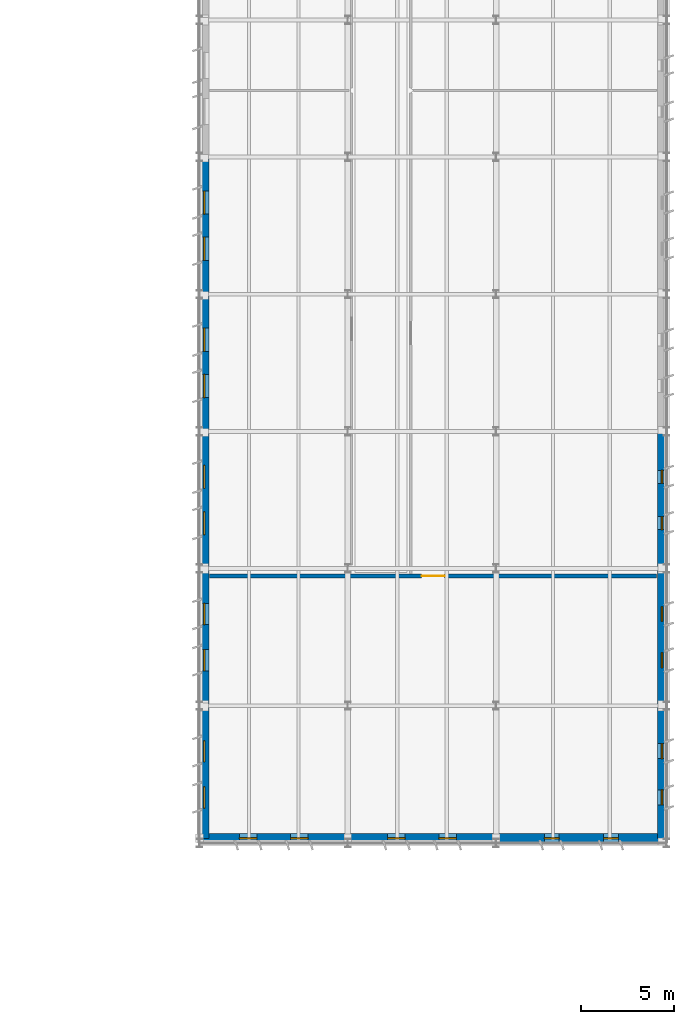
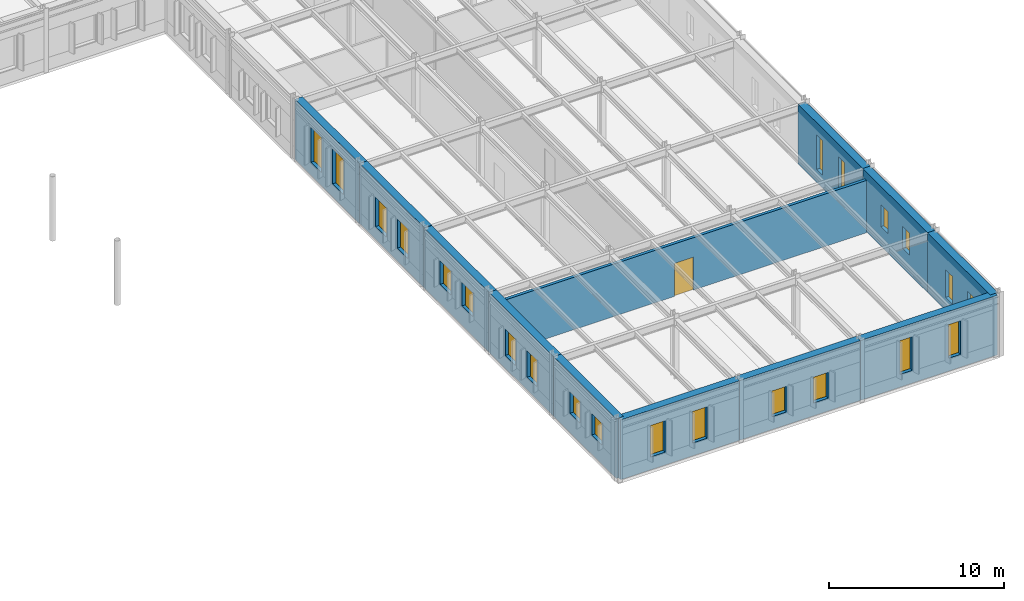
# One storey, part 50 of 75: 22 windows, 12 walls, 1 door, 23 openings.
"""IFC4 building model written with IfcOpenShell, lengths in metres."""

from ifc_helpers import new_model, si_unit, direction, frame, frame_2d, origin, place, context, subcontext, project, spatial, rectangle, extrude, material, layer, layer_set, type_object, element, fill, save


model = new_model("IFC4")

# Units and contexts
model_context = context("Model", 3, precision=1e-05, world=origin(), true_north=direction((0.0, 1.0)))
body_context = subcontext(model_context, "Body", "Model", "MODEL_VIEW")
ifc_project = project(units=[si_unit("LENGTHUNIT", "METRE"), si_unit("AREAUNIT", "SQUARE_METRE"), si_unit("VOLUMEUNIT", "CUBIC_METRE"), si_unit("PLANEANGLEUNIT", "RADIAN"), si_unit("MASSUNIT", "GRAM", prefix="KILO")], contexts=[model_context])

# Site, building, storey
site_placement = place(None, origin())
site = spatial("IfcSite", under=ifc_project, at=site_placement, CompositionType="ELEMENT")
building_placement = place(site_placement, origin())
building = spatial("IfcBuilding", under=site, at=building_placement, Name="Valkorina Park Police Headquarters", CompositionType="ELEMENT")
storey_placement = place(building_placement, frame((0.0, 0.0, 5.39990234375)))
storey = spatial("IfcBuildingStorey", under=building, at=storey_placement, Name="L02", CompositionType="ELEMENT", Elevation=5.39990234375)

# Wall, opening, door
ifc_material_1 = material(Name="Autoclaved aerated concrete masonry", Category="masonry")
ifc_layer_1 = layer(ifc_material_1, 0.199951171875)
ifc_layer_set_1 = layer_set([ifc_layer_1], Name="Autoclaved aerated concrete masonry")
wall_type_1 = type_object("IfcWallType", Name="WL-CORR-200-EI60", PredefinedType="STANDARD", material=ifc_layer_set_1)
wall_1_placement = place(storey_placement, frame((137.340087890625, 21.800048828125, 0.0), z_axis=(0.0, 0.0, 1.0), x_axis=(1.0, 0.0, 0.0)))
wall_1 = element("IfcWall", 1, at=wall_1_placement, inside=storey, type_object=wall_type_1, Name="L02 Interior Partition 0151 (L02-FOR-01)", PredefinedType="STANDARD", context=body_context, shape_type="SweptSolid", body=[
    extrude(rectangle(XDim=24.119873046875, YDim=0.199951171875, at=frame_2d((12.06005859375, 0.0))), origin(), (0.0, 0.0, 1.0), 3.66015625),
])
opening_1_placement = place(wall_1_placement, frame((11.43505859375, 0.0, 0.0)))
opening_1 = element("IfcOpeningElement", 2, at=opening_1_placement, cuts=wall_1, Name="Opening FD-06", PredefinedType="OPENING", context=body_context, shape_type="SweptSolid", body=[
    extrude(rectangle(XDim=1.25, YDim=2.300048828125, at=frame_2d((0.625, 1.14990234375))), frame((0.0, 0.10986328125, 0.0), z_axis=(0.0, -1.0, 0.0), x_axis=(1.0, 0.0, 0.0)), (0.0, 0.0, 1.0), 0.219970703125),
])
ifc_material_2 = material(Name="Galvanized steel door leaf", Category="steel")
ifc_layer_2 = layer(ifc_material_2, 0.050048828125)
ifc_layer_set_2 = layer_set([ifc_layer_2], Name="Galvanized steel door leaf")
door_type = type_object("IfcDoorType", Name="DR-FIRE-LAB-1250x2300", OperationType="NOTDEFINED", PredefinedType="DOOR", material=ifc_layer_set_2)
door_placement = place(opening_1_placement, origin())
door = element("IfcDoor", 3, at=door_placement, inside=storey, type_object=door_type, Name="Door D-L02-I069 (L02-FOR-01)", OperationType="SINGLE_SWING_RIGHT", OverallHeight=2.300048828125, OverallWidth=1.25, PredefinedType="DOOR", context=body_context, shape_type="SweptSolid", body=[
    extrude(rectangle(XDim=1.25, YDim=2.300048828125, at=frame_2d((0.625, 1.14990234375))), frame((0.0, 0.02490234375, 0.0), z_axis=(0.0, -1.0, 0.0), x_axis=(1.0, 0.0, 0.0)), (0.0, 0.0, 1.0), 0.050048828125),
])
fill(opening_1, door)

# Wall, openings, windows
ifc_material_3 = material(Name="Precast concrete C40/50", Category="concrete")
ifc_layer_3 = layer(ifc_material_3, 0.5)
ifc_layer_set_3 = layer_set([ifc_layer_3], Name="Precast concrete C40/50")
wall_type_2 = type_object("IfcWallType", Name="WL-EXT-SPANDREL-500", PredefinedType="STANDARD", material=ifc_layer_set_3)
wall_2_placement = place(storey_placement, frame((161.75, 29.60009765625, 0.0), z_axis=(0.0, 0.0, 1.0), x_axis=(0.0, -1.0, 0.0)))
wall_2 = element("IfcWall", 4, at=wall_2_placement, inside=storey, type_object=wall_type_2, Name="L02 Architectural Concrete Exterior Wall 0163", PredefinedType="STANDARD", context=body_context, shape_type="SweptSolid", body=[
    extrude(rectangle(XDim=7.400146484375, YDim=0.5, at=frame_2d((3.7001953125, 0.0))), origin(), (0.0, 0.0, 1.0), 4.170166015625),
])
opening_2_placement = place(wall_2_placement, frame((2.1025390625, 0.0, 0.89990234375)))
opening_2 = element("IfcOpeningElement", 5, at=opening_2_placement, cuts=wall_2, Name="Opening WN-09", PredefinedType="OPENING", context=body_context, shape_type="SweptSolid", body=[
    extrude(rectangle(XDim=0.699951171875, YDim=2.39990234375, at=frame_2d((0.35009765625, 1.199951171875))), frame((0.0, 0.260009765625, 0.0), z_axis=(0.0, -1.0, 0.0), x_axis=(1.0, 0.0, 0.0)), (0.0, 0.0, 1.0), 0.52001953125),
])
opening_3_placement = place(wall_2_placement, frame((4.597412109375, 0.0, 0.89990234375)))
opening_3 = element("IfcOpeningElement", 6, at=opening_3_placement, cuts=wall_2, Name="Opening WN-09", PredefinedType="OPENING", context=body_context, shape_type="SweptSolid", body=[
    extrude(rectangle(XDim=0.699951171875, YDim=2.39990234375, at=frame_2d((0.35009765625, 1.199951171875))), frame((0.0, 0.260009765625, 0.0), z_axis=(0.0, -1.0, 0.0), x_axis=(1.0, 0.0, 0.0)), (0.0, 0.0, 1.0), 0.52001953125),
])
ifc_material_4 = material(Name="Triple low-E insulated glazing", Category="glass")
ifc_layer_4 = layer(ifc_material_4, 0.06005859375)
ifc_layer_set_4 = layer_set([ifc_layer_4], Name="Triple low-E insulated glazing")
window_type_1 = type_object("IfcWindowType", Name="WN-SLOT-700x2400", PartitioningType="SINGLE_PANEL", PredefinedType="WINDOW", material=ifc_layer_set_4)
window_1_placement = place(opening_2_placement, origin())
window_1 = element("IfcWindow", 7, at=window_1_placement, inside=storey, type_object=window_type_1, Name="Window L02-0271", OverallHeight=2.39990234375, OverallWidth=0.699951171875, PartitioningType="SINGLE_PANEL", PredefinedType="WINDOW", context=body_context, shape_type="SweptSolid", body=[
    extrude(rectangle(XDim=0.699951171875, YDim=2.39990234375, at=frame_2d((0.35009765625, 1.199951171875))), frame((0.0, 0.030029296875, 0.0), z_axis=(0.0, -1.0, 0.0), x_axis=(1.0, 0.0, 0.0)), (0.0, 0.0, 1.0), 0.06005859375),
])
fill(opening_2, window_1)
window_2_placement = place(opening_3_placement, origin())
window_2 = element("IfcWindow", 8, at=window_2_placement, inside=storey, type_object=window_type_1, Name="Window L02-0272", OverallHeight=2.39990234375, OverallWidth=0.699951171875, PartitioningType="SINGLE_PANEL", PredefinedType="WINDOW", context=body_context, shape_type="SweptSolid", body=[
    extrude(rectangle(XDim=0.699951171875, YDim=2.39990234375, at=frame_2d((0.35009765625, 1.199951171875))), frame((0.0, 0.030029296875, 0.0), z_axis=(0.0, -1.0, 0.0), x_axis=(1.0, 0.0, 0.0)), (0.0, 0.0, 1.0), 0.06005859375),
])
fill(opening_3, window_2)

wall_3_placement = place(storey_placement, frame((161.75, 22.199951171875, 0.0), z_axis=(0.0, 0.0, 1.0), x_axis=(0.0, -1.0, 0.0)))
wall_3 = element("IfcWall", 9, at=wall_3_placement, inside=storey, type_object=wall_type_2, Name="L02 Architectural Concrete Exterior Wall 0164", PredefinedType="STANDARD", context=body_context, shape_type="SweptSolid", body=[
    extrude(rectangle(XDim=7.39990234375, YDim=0.5, at=frame_2d((3.699951171875, 0.0))), origin(), (0.0, 0.0, 1.0), 4.170166015625),
])
opening_4_placement = place(wall_3_placement, frame((2.052490234375, 0.0, 1.35009765625)))
opening_4 = element("IfcOpeningElement", 10, at=opening_4_placement, cuts=wall_3, Name="Opening WN-10", PredefinedType="OPENING", context=body_context, shape_type="SweptSolid", body=[
    extrude(rectangle(XDim=0.800048828125, YDim=1.550048828125, at=frame_2d((0.39990234375, 0.77490234375))), frame((0.0, 0.260009765625, 0.0), z_axis=(0.0, -1.0, 0.0), x_axis=(1.0, 0.0, 0.0)), (0.0, 0.0, 1.0), 0.52001953125),
])
opening_5_placement = place(wall_3_placement, frame((4.54736328125, 0.0, 1.35009765625)))
opening_5 = element("IfcOpeningElement", 11, at=opening_5_placement, cuts=wall_3, Name="Opening WN-10", PredefinedType="OPENING", context=body_context, shape_type="SweptSolid", body=[
    extrude(rectangle(XDim=0.800048828125, YDim=1.550048828125, at=frame_2d((0.39990234375, 0.77490234375))), frame((0.0, 0.260009765625, 0.0), z_axis=(0.0, -1.0, 0.0), x_axis=(1.0, 0.0, 0.0)), (0.0, 0.0, 1.0), 0.52001953125),
])
ifc_layer_5 = layer(ifc_material_4, 0.06005859375)
ifc_layer_set_5 = layer_set([ifc_layer_5], Name="Triple low-E insulated glazing")
window_type_2 = type_object("IfcWindowType", Name="WN-SLOT-800x1550", PartitioningType="SINGLE_PANEL", PredefinedType="WINDOW", material=ifc_layer_set_5)
window_3_placement = place(opening_4_placement, origin())
window_3 = element("IfcWindow", 12, at=window_3_placement, inside=storey, type_object=window_type_2, Name="Window L02-0273", OverallHeight=1.550048828125, OverallWidth=0.800048828125, PartitioningType="SINGLE_PANEL", PredefinedType="WINDOW", context=body_context, shape_type="SweptSolid", body=[
    extrude(rectangle(XDim=0.800048828125, YDim=1.550048828125, at=frame_2d((0.39990234375, 0.77490234375))), frame((0.0, 0.030029296875, 0.0), z_axis=(0.0, -1.0, 0.0), x_axis=(1.0, 0.0, 0.0)), (0.0, 0.0, 1.0), 0.06005859375),
])
fill(opening_4, window_3)
window_4_placement = place(opening_5_placement, origin())
window_4 = element("IfcWindow", 13, at=window_4_placement, inside=storey, type_object=window_type_2, Name="Window L02-0274", OverallHeight=1.550048828125, OverallWidth=0.800048828125, PartitioningType="SINGLE_PANEL", PredefinedType="WINDOW", context=body_context, shape_type="SweptSolid", body=[
    extrude(rectangle(XDim=0.800048828125, YDim=1.550048828125, at=frame_2d((0.39990234375, 0.77490234375))), frame((0.0, 0.030029296875, 0.0), z_axis=(0.0, -1.0, 0.0), x_axis=(1.0, 0.0, 0.0)), (0.0, 0.0, 1.0), 0.06005859375),
])
fill(opening_5, window_4)

wall_4_placement = place(storey_placement, frame((161.75, 14.800048828125, 0.0), z_axis=(0.0, 0.0, 1.0), x_axis=(0.0, -1.0, 0.0)))
wall_4 = element("IfcWall", 14, at=wall_4_placement, inside=storey, type_object=wall_type_2, Name="L02 Architectural Concrete Exterior Wall 0165", PredefinedType="STANDARD", context=body_context, shape_type="SweptSolid", body=[
    extrude(rectangle(XDim=7.1650390625, YDim=0.5, at=frame_2d((3.58251953125, 0.0))), origin(), (0.0, 0.0, 1.0), 4.170166015625),
])
opening_6_placement = place(wall_4_placement, frame((2.052490234375, 0.0, 0.89990234375)))
opening_6 = element("IfcOpeningElement", 15, at=opening_6_placement, cuts=wall_4, Name="Opening WN-11", PredefinedType="OPENING", context=body_context, shape_type="SweptSolid", body=[
    extrude(rectangle(XDim=0.800048828125, YDim=1.949951171875, at=frame_2d((0.39990234375, 0.97509765625))), frame((0.0, 0.260009765625, 0.0), z_axis=(0.0, -1.0, 0.0), x_axis=(1.0, 0.0, 0.0)), (0.0, 0.0, 1.0), 0.52001953125),
])
opening_7_placement = place(wall_4_placement, frame((4.54736328125, 0.0, 0.89990234375)))
opening_7 = element("IfcOpeningElement", 16, at=opening_7_placement, cuts=wall_4, Name="Opening WN-11", PredefinedType="OPENING", context=body_context, shape_type="SweptSolid", body=[
    extrude(rectangle(XDim=0.800048828125, YDim=1.949951171875, at=frame_2d((0.39990234375, 0.97509765625))), frame((0.0, 0.260009765625, 0.0), z_axis=(0.0, -1.0, 0.0), x_axis=(1.0, 0.0, 0.0)), (0.0, 0.0, 1.0), 0.52001953125),
])
ifc_layer_6 = layer(ifc_material_4, 0.06005859375)
ifc_layer_set_6 = layer_set([ifc_layer_6], Name="Triple low-E insulated glazing")
window_type_3 = type_object("IfcWindowType", Name="WN-SLOT-800x1950", PartitioningType="SINGLE_PANEL", PredefinedType="WINDOW", material=ifc_layer_set_6)
window_5_placement = place(opening_6_placement, origin())
window_5 = element("IfcWindow", 17, at=window_5_placement, inside=storey, type_object=window_type_3, Name="Window L02-0275", OverallHeight=1.949951171875, OverallWidth=0.800048828125, PartitioningType="SINGLE_PANEL", PredefinedType="WINDOW", context=body_context, shape_type="SweptSolid", body=[
    extrude(rectangle(XDim=0.800048828125, YDim=1.949951171875, at=frame_2d((0.39990234375, 0.97509765625))), frame((0.0, 0.030029296875, 0.0), z_axis=(0.0, -1.0, 0.0), x_axis=(1.0, 0.0, 0.0)), (0.0, 0.0, 1.0), 0.06005859375),
])
fill(opening_6, window_5)
window_6_placement = place(opening_7_placement, origin())
window_6 = element("IfcWindow", 18, at=window_6_placement, inside=storey, type_object=window_type_3, Name="Window L02-0276", OverallHeight=1.949951171875, OverallWidth=0.800048828125, PartitioningType="SINGLE_PANEL", PredefinedType="WINDOW", context=body_context, shape_type="SweptSolid", body=[
    extrude(rectangle(XDim=0.800048828125, YDim=1.949951171875, at=frame_2d((0.39990234375, 0.97509765625))), frame((0.0, 0.030029296875, 0.0), z_axis=(0.0, -1.0, 0.0), x_axis=(1.0, 0.0, 0.0)), (0.0, 0.0, 1.0), 0.06005859375),
])
fill(opening_7, window_6)

wall_5_placement = place(storey_placement, frame((161.840087890625, 7.64990234375, 0.0), z_axis=(0.0, 0.0, 1.0), x_axis=(-1.0, 0.0, 0.0)))
wall_5 = element("IfcWall", 19, at=wall_5_placement, inside=storey, type_object=wall_type_2, Name="L02 Architectural Concrete Exterior Wall 0166", PredefinedType="STANDARD", context=body_context, shape_type="SweptSolid", body=[
    extrude(rectangle(XDim=9.0400390625, YDim=0.5, at=frame_2d((4.52001953125, 0.0))), origin(), (0.0, 0.0, 1.0), 4.170166015625),
])
opening_8_placement = place(wall_5_placement, frame((2.441650390625, 0.0, 0.89990234375)))
opening_8 = element("IfcOpeningElement", 20, at=opening_8_placement, cuts=wall_5, Name="Opening WN-12", PredefinedType="OPENING", context=body_context, shape_type="SweptSolid", body=[
    extrude(rectangle(XDim=0.800048828125, YDim=2.35009765625, at=frame_2d((0.39990234375, 1.175048828125))), frame((0.0, 0.260009765625, 0.0), z_axis=(0.0, -1.0, 0.0), x_axis=(1.0, 0.0, 0.0)), (0.0, 0.0, 1.0), 0.52001953125),
])
opening_9_placement = place(wall_5_placement, frame((5.638427734375, 0.0, 0.89990234375)))
opening_9 = element("IfcOpeningElement", 21, at=opening_9_placement, cuts=wall_5, Name="Opening WN-12", PredefinedType="OPENING", context=body_context, shape_type="SweptSolid", body=[
    extrude(rectangle(XDim=0.800048828125, YDim=2.35009765625, at=frame_2d((0.39990234375, 1.175048828125))), frame((0.0, 0.260009765625, 0.0), z_axis=(0.0, -1.0, 0.0), x_axis=(1.0, 0.0, 0.0)), (0.0, 0.0, 1.0), 0.52001953125),
])
ifc_layer_7 = layer(ifc_material_4, 0.06005859375)
ifc_layer_set_7 = layer_set([ifc_layer_7], Name="Triple low-E insulated glazing")
window_type_4 = type_object("IfcWindowType", Name="WN-SLOT-800x2350", PartitioningType="SINGLE_PANEL", PredefinedType="WINDOW", material=ifc_layer_set_7)
window_7_placement = place(opening_8_placement, origin())
window_7 = element("IfcWindow", 22, at=window_7_placement, inside=storey, type_object=window_type_4, Name="Window L02-0277", OverallHeight=2.35009765625, OverallWidth=0.800048828125, PartitioningType="SINGLE_PANEL", PredefinedType="WINDOW", context=body_context, shape_type="SweptSolid", body=[
    extrude(rectangle(XDim=0.800048828125, YDim=2.35009765625, at=frame_2d((0.39990234375, 1.175048828125))), frame((0.0, 0.030029296875, 0.0), z_axis=(0.0, -1.0, 0.0), x_axis=(1.0, 0.0, 0.0)), (0.0, 0.0, 1.0), 0.06005859375),
])
fill(opening_8, window_7)
window_8_placement = place(opening_9_placement, origin())
window_8 = element("IfcWindow", 23, at=window_8_placement, inside=storey, type_object=window_type_4, Name="Window L02-0278", OverallHeight=2.35009765625, OverallWidth=0.800048828125, PartitioningType="SINGLE_PANEL", PredefinedType="WINDOW", context=body_context, shape_type="SweptSolid", body=[
    extrude(rectangle(XDim=0.800048828125, YDim=2.35009765625, at=frame_2d((0.39990234375, 1.175048828125))), frame((0.0, 0.030029296875, 0.0), z_axis=(0.0, -1.0, 0.0), x_axis=(1.0, 0.0, 0.0)), (0.0, 0.0, 1.0), 0.06005859375),
])
fill(opening_9, window_8)

wall_6_placement = place(storey_placement, frame((152.800048828125, 7.64990234375, 0.0), z_axis=(0.0, 0.0, 1.0), x_axis=(-1.0, 0.0, 0.0)))
wall_6 = element("IfcWall", 24, at=wall_6_placement, inside=storey, type_object=wall_type_2, Name="L02 Architectural Concrete Exterior Wall 0167", PredefinedType="STANDARD", context=body_context, shape_type="SweptSolid", body=[
    extrude(rectangle(XDim=8.0, YDim=0.5, at=frame_2d((4.0, 0.0))), origin(), (0.0, 0.0, 1.0), 4.170166015625),
])
opening_10_placement = place(wall_6_placement, frame((2.142578125, 0.0, 0.89990234375)))
opening_10 = element("IfcOpeningElement", 25, at=opening_10_placement, cuts=wall_6, Name="Opening WN-17", PredefinedType="OPENING", context=body_context, shape_type="SweptSolid", body=[
    extrude(rectangle(XDim=0.949951171875, YDim=1.800048828125, at=frame_2d((0.47509765625, 0.89990234375))), frame((0.0, 0.260009765625, 0.0), z_axis=(0.0, -1.0, 0.0), x_axis=(1.0, 0.0, 0.0)), (0.0, 0.0, 1.0), 0.52001953125),
])
opening_11_placement = place(wall_6_placement, frame((4.907470703125, 0.0, 0.89990234375)))
opening_11 = element("IfcOpeningElement", 26, at=opening_11_placement, cuts=wall_6, Name="Opening WN-17", PredefinedType="OPENING", context=body_context, shape_type="SweptSolid", body=[
    extrude(rectangle(XDim=0.949951171875, YDim=1.800048828125, at=frame_2d((0.47509765625, 0.89990234375))), frame((0.0, 0.260009765625, 0.0), z_axis=(0.0, -1.0, 0.0), x_axis=(1.0, 0.0, 0.0)), (0.0, 0.0, 1.0), 0.52001953125),
])
ifc_layer_8 = layer(ifc_material_4, 0.06005859375)
ifc_layer_set_8 = layer_set([ifc_layer_8], Name="Triple low-E insulated glazing")
window_type_5 = type_object("IfcWindowType", Name="WN-SLOT-950x1800", PartitioningType="SINGLE_PANEL", PredefinedType="WINDOW", material=ifc_layer_set_8)
window_9_placement = place(opening_10_placement, origin())
window_9 = element("IfcWindow", 27, at=window_9_placement, inside=storey, type_object=window_type_5, Name="Window L02-0279", OverallHeight=1.800048828125, OverallWidth=0.949951171875, PartitioningType="SINGLE_PANEL", PredefinedType="WINDOW", context=body_context, shape_type="SweptSolid", body=[
    extrude(rectangle(XDim=0.949951171875, YDim=1.800048828125, at=frame_2d((0.47509765625, 0.89990234375))), frame((0.0, 0.030029296875, 0.0), z_axis=(0.0, -1.0, 0.0), x_axis=(1.0, 0.0, 0.0)), (0.0, 0.0, 1.0), 0.06005859375),
])
fill(opening_10, window_9)
window_10_placement = place(opening_11_placement, origin())
window_10 = element("IfcWindow", 28, at=window_10_placement, inside=storey, type_object=window_type_5, Name="Window L02-0280", OverallHeight=1.800048828125, OverallWidth=0.949951171875, PartitioningType="SINGLE_PANEL", PredefinedType="WINDOW", context=body_context, shape_type="SweptSolid", body=[
    extrude(rectangle(XDim=0.949951171875, YDim=1.800048828125, at=frame_2d((0.47509765625, 0.89990234375))), frame((0.0, 0.030029296875, 0.0), z_axis=(0.0, -1.0, 0.0), x_axis=(1.0, 0.0, 0.0)), (0.0, 0.0, 1.0), 0.06005859375),
])
fill(opening_11, window_10)

wall_7_placement = place(storey_placement, frame((144.800048828125, 7.64990234375, 0.0), z_axis=(0.0, 0.0, 1.0), x_axis=(-1.0, 0.0, 0.0)))
wall_7 = element("IfcWall", 29, at=wall_7_placement, inside=storey, type_object=wall_type_2, Name="L02 Architectural Concrete Exterior Wall 0168", PredefinedType="STANDARD", context=body_context, shape_type="SweptSolid", body=[
    extrude(rectangle(XDim=7.840087890625, YDim=0.5, at=frame_2d((3.919921875, 0.0))), origin(), (0.0, 0.0, 1.0), 4.170166015625),
])
opening_12_placement = place(wall_7_placement, frame((2.142578125, 0.0, 0.89990234375)))
opening_12 = element("IfcOpeningElement", 30, at=opening_12_placement, cuts=wall_7, Name="Opening WN-18", PredefinedType="OPENING", context=body_context, shape_type="SweptSolid", body=[
    extrude(rectangle(XDim=0.949951171875, YDim=2.199951171875, at=frame_2d((0.47509765625, 1.10009765625))), frame((0.0, 0.260009765625, 0.0), z_axis=(0.0, -1.0, 0.0), x_axis=(1.0, 0.0, 0.0)), (0.0, 0.0, 1.0), 0.52001953125),
])
opening_13_placement = place(wall_7_placement, frame((4.907470703125, 0.0, 0.89990234375)))
opening_13 = element("IfcOpeningElement", 31, at=opening_13_placement, cuts=wall_7, Name="Opening WN-18", PredefinedType="OPENING", context=body_context, shape_type="SweptSolid", body=[
    extrude(rectangle(XDim=0.949951171875, YDim=2.199951171875, at=frame_2d((0.47509765625, 1.10009765625))), frame((0.0, 0.260009765625, 0.0), z_axis=(0.0, -1.0, 0.0), x_axis=(1.0, 0.0, 0.0)), (0.0, 0.0, 1.0), 0.52001953125),
])
ifc_layer_9 = layer(ifc_material_4, 0.06005859375)
ifc_layer_set_9 = layer_set([ifc_layer_9], Name="Triple low-E insulated glazing")
window_type_6 = type_object("IfcWindowType", Name="WN-SLOT-950x2200", PartitioningType="SINGLE_PANEL", PredefinedType="WINDOW", material=ifc_layer_set_9)
window_11_placement = place(opening_12_placement, origin())
window_11 = element("IfcWindow", 32, at=window_11_placement, inside=storey, type_object=window_type_6, Name="Window L02-0281", OverallHeight=2.199951171875, OverallWidth=0.949951171875, PartitioningType="SINGLE_PANEL", PredefinedType="WINDOW", context=body_context, shape_type="SweptSolid", body=[
    extrude(rectangle(XDim=0.949951171875, YDim=2.199951171875, at=frame_2d((0.47509765625, 1.10009765625))), frame((0.0, 0.030029296875, 0.0), z_axis=(0.0, -1.0, 0.0), x_axis=(1.0, 0.0, 0.0)), (0.0, 0.0, 1.0), 0.06005859375),
])
fill(opening_12, window_11)
window_12_placement = place(opening_13_placement, origin())
window_12 = element("IfcWindow", 33, at=window_12_placement, inside=storey, type_object=window_type_6, Name="Window L02-0282", OverallHeight=2.199951171875, OverallWidth=0.949951171875, PartitioningType="SINGLE_PANEL", PredefinedType="WINDOW", context=body_context, shape_type="SweptSolid", body=[
    extrude(rectangle(XDim=0.949951171875, YDim=2.199951171875, at=frame_2d((0.47509765625, 1.10009765625))), frame((0.0, 0.030029296875, 0.0), z_axis=(0.0, -1.0, 0.0), x_axis=(1.0, 0.0, 0.0)), (0.0, 0.0, 1.0), 0.06005859375),
])
fill(opening_13, window_12)

wall_8_placement = place(storey_placement, frame((137.050048828125, 7.635009765625, 0.0), z_axis=(0.0, 0.0, 1.0), x_axis=(0.0, 1.0, 0.0)))
wall_8 = element("IfcWall", 34, at=wall_8_placement, inside=storey, type_object=wall_type_2, Name="L02 Architectural Concrete Exterior Wall 0169", PredefinedType="STANDARD", context=body_context, shape_type="SweptSolid", body=[
    extrude(rectangle(XDim=7.1650390625, YDim=0.5, at=frame_2d((3.58251953125, 0.0))), origin(), (0.0, 0.0, 1.0), 4.170166015625),
])
opening_14_placement = place(wall_8_placement, frame((1.642578125, 0.0, 1.35009765625)))
opening_14 = element("IfcOpeningElement", 35, at=opening_14_placement, cuts=wall_8, Name="Opening WN-19", PredefinedType="OPENING", context=body_context, shape_type="SweptSolid", body=[
    extrude(rectangle(XDim=1.14990234375, YDim=1.5, at=frame_2d((0.574951171875, 0.75))), frame((0.0, 0.260009765625, 0.0), z_axis=(0.0, -1.0, 0.0), x_axis=(1.0, 0.0, 0.0)), (0.0, 0.0, 1.0), 0.52001953125),
])
opening_15_placement = place(wall_8_placement, frame((4.137451171875, 0.0, 1.35009765625)))
opening_15 = element("IfcOpeningElement", 36, at=opening_15_placement, cuts=wall_8, Name="Opening WN-19", PredefinedType="OPENING", context=body_context, shape_type="SweptSolid", body=[
    extrude(rectangle(XDim=1.14990234375, YDim=1.5, at=frame_2d((0.574951171875, 0.75))), frame((0.0, 0.260009765625, 0.0), z_axis=(0.0, -1.0, 0.0), x_axis=(1.0, 0.0, 0.0)), (0.0, 0.0, 1.0), 0.52001953125),
])
ifc_layer_10 = layer(ifc_material_4, 0.06005859375)
ifc_layer_set_10 = layer_set([ifc_layer_10], Name="Triple low-E insulated glazing")
window_type_7 = type_object("IfcWindowType", Name="WN-LAB-1150x1500", PartitioningType="SINGLE_PANEL", PredefinedType="WINDOW", material=ifc_layer_set_10)
window_13_placement = place(opening_14_placement, origin())
window_13 = element("IfcWindow", 37, at=window_13_placement, inside=storey, type_object=window_type_7, Name="Window L02-0283", OverallHeight=1.5, OverallWidth=1.14990234375, PartitioningType="SINGLE_PANEL", PredefinedType="WINDOW", context=body_context, shape_type="SweptSolid", body=[
    extrude(rectangle(XDim=1.14990234375, YDim=1.5, at=frame_2d((0.574951171875, 0.75))), frame((0.0, 0.030029296875, 0.0), z_axis=(0.0, -1.0, 0.0), x_axis=(1.0, 0.0, 0.0)), (0.0, 0.0, 1.0), 0.06005859375),
])
fill(opening_14, window_13)
window_14_placement = place(opening_15_placement, origin())
window_14 = element("IfcWindow", 38, at=window_14_placement, inside=storey, type_object=window_type_7, Name="Window L02-0284", OverallHeight=1.5, OverallWidth=1.14990234375, PartitioningType="SINGLE_PANEL", PredefinedType="WINDOW", context=body_context, shape_type="SweptSolid", body=[
    extrude(rectangle(XDim=1.14990234375, YDim=1.5, at=frame_2d((0.574951171875, 0.75))), frame((0.0, 0.030029296875, 0.0), z_axis=(0.0, -1.0, 0.0), x_axis=(1.0, 0.0, 0.0)), (0.0, 0.0, 1.0), 0.06005859375),
])
fill(opening_15, window_14)

wall_9_placement = place(storey_placement, frame((137.050048828125, 14.800048828125, 0.0), z_axis=(0.0, 0.0, 1.0), x_axis=(0.0, 1.0, 0.0)))
wall_9 = element("IfcWall", 39, at=wall_9_placement, inside=storey, type_object=wall_type_2, Name="L02 Architectural Concrete Exterior Wall 0170", PredefinedType="STANDARD", context=body_context, shape_type="SweptSolid", body=[
    extrude(rectangle(XDim=7.39990234375, YDim=0.5, at=frame_2d((3.699951171875, 0.0))), origin(), (0.0, 0.0, 1.0), 4.170166015625),
])
opening_16_placement = place(wall_9_placement, frame((1.877685546875, 0.0, 0.89990234375)))
opening_16 = element("IfcOpeningElement", 40, at=opening_16_placement, cuts=wall_9, Name="Opening WN-20", PredefinedType="OPENING", context=body_context, shape_type="SweptSolid", body=[
    extrude(rectangle(XDim=1.14990234375, YDim=1.85009765625, at=frame_2d((0.574951171875, 0.925048828125))), frame((0.0, 0.260009765625, 0.0), z_axis=(0.0, -1.0, 0.0), x_axis=(1.0, 0.0, 0.0)), (0.0, 0.0, 1.0), 0.52001953125),
])
opening_17_placement = place(wall_9_placement, frame((4.372314453125, 0.0, 0.89990234375)))
opening_17 = element("IfcOpeningElement", 41, at=opening_17_placement, cuts=wall_9, Name="Opening WN-20", PredefinedType="OPENING", context=body_context, shape_type="SweptSolid", body=[
    extrude(rectangle(XDim=1.14990234375, YDim=1.85009765625, at=frame_2d((0.574951171875, 0.925048828125))), frame((0.0, 0.260009765625, 0.0), z_axis=(0.0, -1.0, 0.0), x_axis=(1.0, 0.0, 0.0)), (0.0, 0.0, 1.0), 0.52001953125),
])
ifc_layer_11 = layer(ifc_material_4, 0.06005859375)
ifc_layer_set_11 = layer_set([ifc_layer_11], Name="Triple low-E insulated glazing")
window_type_8 = type_object("IfcWindowType", Name="WN-LAB-1150x1850", PartitioningType="SINGLE_PANEL", PredefinedType="WINDOW", material=ifc_layer_set_11)
window_15_placement = place(opening_16_placement, origin())
window_15 = element("IfcWindow", 42, at=window_15_placement, inside=storey, type_object=window_type_8, Name="Window L02-0285", OverallHeight=1.85009765625, OverallWidth=1.14990234375, PartitioningType="SINGLE_PANEL", PredefinedType="WINDOW", context=body_context, shape_type="SweptSolid", body=[
    extrude(rectangle(XDim=1.14990234375, YDim=1.85009765625, at=frame_2d((0.574951171875, 0.925048828125))), frame((0.0, 0.030029296875, 0.0), z_axis=(0.0, -1.0, 0.0), x_axis=(1.0, 0.0, 0.0)), (0.0, 0.0, 1.0), 0.06005859375),
])
fill(opening_16, window_15)
window_16_placement = place(opening_17_placement, origin())
window_16 = element("IfcWindow", 43, at=window_16_placement, inside=storey, type_object=window_type_8, Name="Window L02-0286", OverallHeight=1.85009765625, OverallWidth=1.14990234375, PartitioningType="SINGLE_PANEL", PredefinedType="WINDOW", context=body_context, shape_type="SweptSolid", body=[
    extrude(rectangle(XDim=1.14990234375, YDim=1.85009765625, at=frame_2d((0.574951171875, 0.925048828125))), frame((0.0, 0.030029296875, 0.0), z_axis=(0.0, -1.0, 0.0), x_axis=(1.0, 0.0, 0.0)), (0.0, 0.0, 1.0), 0.06005859375),
])
fill(opening_17, window_16)

wall_10_placement = place(storey_placement, frame((137.050048828125, 22.199951171875, 0.0), z_axis=(0.0, 0.0, 1.0), x_axis=(0.0, 1.0, 0.0)))
wall_10 = element("IfcWall", 44, at=wall_10_placement, inside=storey, type_object=wall_type_2, Name="L02 Architectural Concrete Exterior Wall 0171", PredefinedType="STANDARD", context=body_context, shape_type="SweptSolid", body=[
    extrude(rectangle(XDim=7.400146484375, YDim=0.5, at=frame_2d((3.7001953125, 0.0))), origin(), (0.0, 0.0, 1.0), 4.170166015625),
])
opening_18_placement = place(wall_10_placement, frame((1.82763671875, 0.0, 1.35009765625)))
opening_18 = element("IfcOpeningElement", 45, at=opening_18_placement, cuts=wall_10, Name="Opening WN-21", PredefinedType="OPENING", context=body_context, shape_type="SweptSolid", body=[
    extrude(rectangle(XDim=1.25, YDim=1.64990234375, at=frame_2d((0.625, 0.824951171875))), frame((0.0, 0.260009765625, 0.0), z_axis=(0.0, -1.0, 0.0), x_axis=(1.0, 0.0, 0.0)), (0.0, 0.0, 1.0), 0.52001953125),
])
opening_19_placement = place(wall_10_placement, frame((4.322509765625, 0.0, 1.35009765625)))
opening_19 = element("IfcOpeningElement", 46, at=opening_19_placement, cuts=wall_10, Name="Opening WN-21", PredefinedType="OPENING", context=body_context, shape_type="SweptSolid", body=[
    extrude(rectangle(XDim=1.25, YDim=1.64990234375, at=frame_2d((0.625, 0.824951171875))), frame((0.0, 0.260009765625, 0.0), z_axis=(0.0, -1.0, 0.0), x_axis=(1.0, 0.0, 0.0)), (0.0, 0.0, 1.0), 0.52001953125),
])
ifc_layer_12 = layer(ifc_material_4, 0.06005859375)
ifc_layer_set_12 = layer_set([ifc_layer_12], Name="Triple low-E insulated glazing")
window_type_9 = type_object("IfcWindowType", Name="WN-LAB-1250x1650", PartitioningType="SINGLE_PANEL", PredefinedType="WINDOW", material=ifc_layer_set_12)
window_17_placement = place(opening_18_placement, origin())
window_17 = element("IfcWindow", 47, at=window_17_placement, inside=storey, type_object=window_type_9, Name="Window L02-0287", OverallHeight=1.64990234375, OverallWidth=1.25, PartitioningType="SINGLE_PANEL", PredefinedType="WINDOW", context=body_context, shape_type="SweptSolid", body=[
    extrude(rectangle(XDim=1.25, YDim=1.64990234375, at=frame_2d((0.625, 0.824951171875))), frame((0.0, 0.030029296875, 0.0), z_axis=(0.0, -1.0, 0.0), x_axis=(1.0, 0.0, 0.0)), (0.0, 0.0, 1.0), 0.06005859375),
])
fill(opening_18, window_17)
window_18_placement = place(opening_19_placement, origin())
window_18 = element("IfcWindow", 48, at=window_18_placement, inside=storey, type_object=window_type_9, Name="Window L02-0288", OverallHeight=1.64990234375, OverallWidth=1.25, PartitioningType="SINGLE_PANEL", PredefinedType="WINDOW", context=body_context, shape_type="SweptSolid", body=[
    extrude(rectangle(XDim=1.25, YDim=1.64990234375, at=frame_2d((0.625, 0.824951171875))), frame((0.0, 0.030029296875, 0.0), z_axis=(0.0, -1.0, 0.0), x_axis=(1.0, 0.0, 0.0)), (0.0, 0.0, 1.0), 0.06005859375),
])
fill(opening_19, window_18)

wall_11_placement = place(storey_placement, frame((137.050048828125, 29.60009765625, 0.0), z_axis=(0.0, 0.0, 1.0), x_axis=(0.0, 1.0, 0.0)))
wall_11 = element("IfcWall", 49, at=wall_11_placement, inside=storey, type_object=wall_type_2, Name="L02 Architectural Concrete Exterior Wall 0172", PredefinedType="STANDARD", context=body_context, shape_type="SweptSolid", body=[
    extrude(rectangle(XDim=7.39990234375, YDim=0.5, at=frame_2d((3.699951171875, 0.0))), origin(), (0.0, 0.0, 1.0), 4.2001953125),
])
opening_20_placement = place(wall_11_placement, frame((1.82763671875, 0.0, 0.89990234375)))
opening_20 = element("IfcOpeningElement", 50, at=opening_20_placement, cuts=wall_11, Name="Opening WN-22", PredefinedType="OPENING", context=body_context, shape_type="SweptSolid", body=[
    extrude(rectangle(XDim=1.25, YDim=2.050048828125, at=frame_2d((0.625, 1.02490234375))), frame((0.0, 0.260009765625, 0.0), z_axis=(0.0, -1.0, 0.0), x_axis=(1.0, 0.0, 0.0)), (0.0, 0.0, 1.0), 0.52001953125),
])
opening_21_placement = place(wall_11_placement, frame((4.322509765625, 0.0, 0.89990234375)))
opening_21 = element("IfcOpeningElement", 51, at=opening_21_placement, cuts=wall_11, Name="Opening WN-22", PredefinedType="OPENING", context=body_context, shape_type="SweptSolid", body=[
    extrude(rectangle(XDim=1.25, YDim=2.050048828125, at=frame_2d((0.625, 1.02490234375))), frame((0.0, 0.260009765625, 0.0), z_axis=(0.0, -1.0, 0.0), x_axis=(1.0, 0.0, 0.0)), (0.0, 0.0, 1.0), 0.52001953125),
])
ifc_layer_13 = layer(ifc_material_4, 0.06005859375)
ifc_layer_set_13 = layer_set([ifc_layer_13], Name="Triple low-E insulated glazing")
window_type_10 = type_object("IfcWindowType", Name="WN-LAB-1250x2050", PartitioningType="SINGLE_PANEL", PredefinedType="WINDOW", material=ifc_layer_set_13)
window_19_placement = place(opening_20_placement, origin())
window_19 = element("IfcWindow", 52, at=window_19_placement, inside=storey, type_object=window_type_10, Name="Window L02-0289", OverallHeight=2.050048828125, OverallWidth=1.25, PartitioningType="SINGLE_PANEL", PredefinedType="WINDOW", context=body_context, shape_type="SweptSolid", body=[
    extrude(rectangle(XDim=1.25, YDim=2.050048828125, at=frame_2d((0.625, 1.02490234375))), frame((0.0, 0.030029296875, 0.0), z_axis=(0.0, -1.0, 0.0), x_axis=(1.0, 0.0, 0.0)), (0.0, 0.0, 1.0), 0.06005859375),
])
fill(opening_20, window_19)
window_20_placement = place(opening_21_placement, origin())
window_20 = element("IfcWindow", 53, at=window_20_placement, inside=storey, type_object=window_type_10, Name="Window L02-0290", OverallHeight=2.050048828125, OverallWidth=1.25, PartitioningType="SINGLE_PANEL", PredefinedType="WINDOW", context=body_context, shape_type="SweptSolid", body=[
    extrude(rectangle(XDim=1.25, YDim=2.050048828125, at=frame_2d((0.625, 1.02490234375))), frame((0.0, 0.030029296875, 0.0), z_axis=(0.0, -1.0, 0.0), x_axis=(1.0, 0.0, 0.0)), (0.0, 0.0, 1.0), 0.06005859375),
])
fill(opening_21, window_20)

wall_12_placement = place(storey_placement, frame((137.050048828125, 37.0, 0.0), z_axis=(0.0, 0.0, 1.0), x_axis=(0.0, 1.0, 0.0)))
wall_12 = element("IfcWall", 54, at=wall_12_placement, inside=storey, type_object=wall_type_2, Name="L02 Architectural Concrete Exterior Wall 0173", PredefinedType="STANDARD", context=body_context, shape_type="SweptSolid", body=[
    extrude(rectangle(XDim=7.39990234375, YDim=0.5, at=frame_2d((3.699951171875, 0.0))), origin(), (0.0, 0.0, 1.0), 4.2001953125),
])
opening_22_placement = place(wall_12_placement, frame((1.82763671875, 0.0, 0.89990234375)))
opening_22 = element("IfcOpeningElement", 55, at=opening_22_placement, cuts=wall_12, Name="Opening WN-23", PredefinedType="OPENING", context=body_context, shape_type="SweptSolid", body=[
    extrude(rectangle(XDim=1.25, YDim=2.449951171875, at=frame_2d((0.625, 1.22509765625))), frame((0.0, 0.260009765625, 0.0), z_axis=(0.0, -1.0, 0.0), x_axis=(1.0, 0.0, 0.0)), (0.0, 0.0, 1.0), 0.52001953125),
])
opening_23_placement = place(wall_12_placement, frame((4.322509765625, 0.0, 0.89990234375)))
opening_23 = element("IfcOpeningElement", 56, at=opening_23_placement, cuts=wall_12, Name="Opening WN-23", PredefinedType="OPENING", context=body_context, shape_type="SweptSolid", body=[
    extrude(rectangle(XDim=1.25, YDim=2.449951171875, at=frame_2d((0.625, 1.22509765625))), frame((0.0, 0.260009765625, 0.0), z_axis=(0.0, -1.0, 0.0), x_axis=(1.0, 0.0, 0.0)), (0.0, 0.0, 1.0), 0.52001953125),
])
ifc_layer_14 = layer(ifc_material_4, 0.06005859375)
ifc_layer_set_14 = layer_set([ifc_layer_14], Name="Triple low-E insulated glazing")
window_type_11 = type_object("IfcWindowType", Name="WN-LAB-1250x2450", PartitioningType="SINGLE_PANEL", PredefinedType="WINDOW", material=ifc_layer_set_14)
window_21_placement = place(opening_22_placement, origin())
window_21 = element("IfcWindow", 57, at=window_21_placement, inside=storey, type_object=window_type_11, Name="Window L02-0291", OverallHeight=2.449951171875, OverallWidth=1.25, PartitioningType="SINGLE_PANEL", PredefinedType="WINDOW", context=body_context, shape_type="SweptSolid", body=[
    extrude(rectangle(XDim=1.25, YDim=2.449951171875, at=frame_2d((0.625, 1.22509765625))), frame((0.0, 0.030029296875, 0.0), z_axis=(0.0, -1.0, 0.0), x_axis=(1.0, 0.0, 0.0)), (0.0, 0.0, 1.0), 0.06005859375),
])
fill(opening_22, window_21)
window_22_placement = place(opening_23_placement, origin())
window_22 = element("IfcWindow", 58, at=window_22_placement, inside=storey, type_object=window_type_11, Name="Window L02-0292", OverallHeight=2.449951171875, OverallWidth=1.25, PartitioningType="SINGLE_PANEL", PredefinedType="WINDOW", context=body_context, shape_type="SweptSolid", body=[
    extrude(rectangle(XDim=1.25, YDim=2.449951171875, at=frame_2d((0.625, 1.22509765625))), frame((0.0, 0.030029296875, 0.0), z_axis=(0.0, -1.0, 0.0), x_axis=(1.0, 0.0, 0.0)), (0.0, 0.0, 1.0), 0.06005859375),
])
fill(opening_23, window_22)

save(model, "model.ifc")
